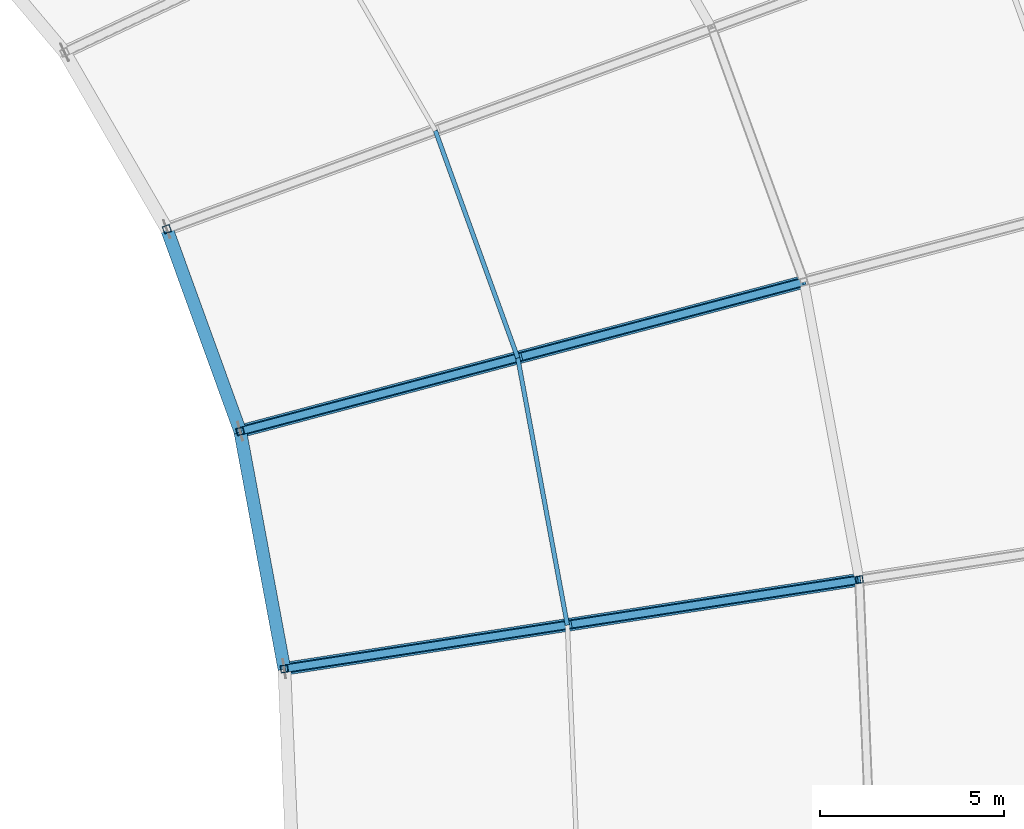
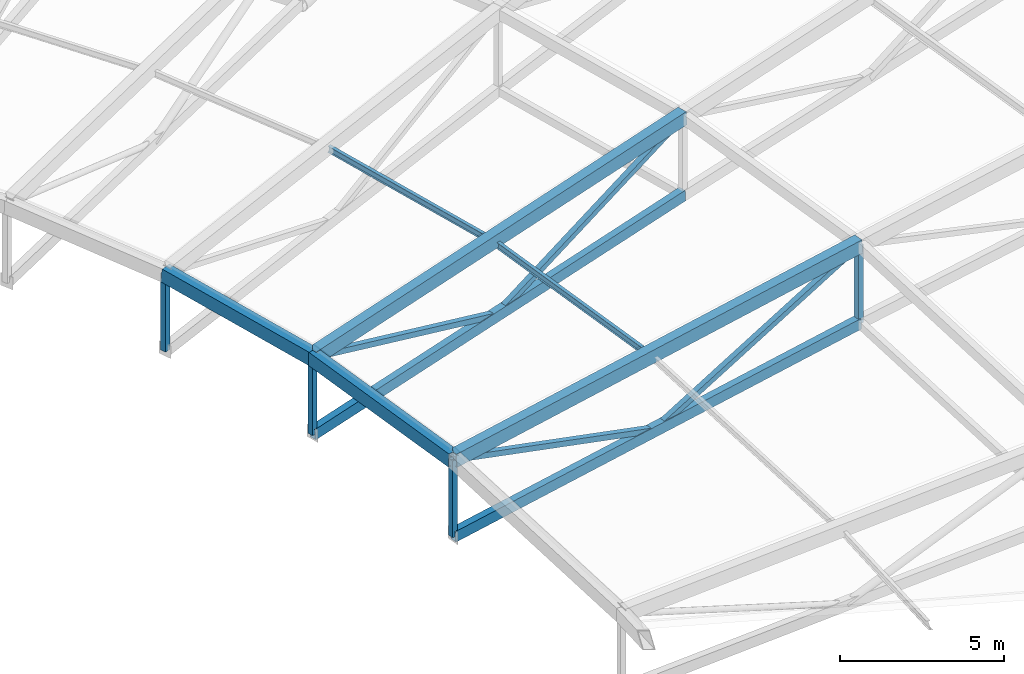
# One storey, part 74 of 143: 10 members, 6 beams.
"""IFC4 building model written with IfcOpenShell, lengths in metres."""

from ifc_helpers import new_model, si_unit, direction, frame, origin, origin_2d, place, context, subcontext, project, spatial, hollow_rectangle, i_section, extrude, material, material_profile, profile_set, type_object, element, save


model = new_model("IFC4")

# Units and contexts
model_context = context("Model", 3, precision=1e-05, world=origin(), true_north=direction((0.0, 1.0)))
body_context = subcontext(model_context, "Body", "Model", "MODEL_VIEW")
ifc_project = project(units=[si_unit("LENGTHUNIT", "METRE"), si_unit("AREAUNIT", "SQUARE_METRE"), si_unit("VOLUMEUNIT", "CUBIC_METRE"), si_unit("PLANEANGLEUNIT", "RADIAN"), si_unit("MASSUNIT", "GRAM", prefix="KILO")], contexts=[model_context])

# Site, building, storey
site_placement = place(None, origin())
site = spatial("IfcSite", under=ifc_project, at=site_placement, CompositionType="ELEMENT")
building_placement = place(site_placement, origin())
building = spatial("IfcBuilding", under=site, at=building_placement, Name="Mphavela Belvedere Stadium", CompositionType="ELEMENT")
storey_placement = place(building_placement, frame((0.0, 0.0, 28.800048828125)))
storey = spatial("IfcBuildingStorey", under=building, at=storey_placement, Name="RF", CompositionType="ELEMENT", Elevation=28.800048828125)

# Beams
ifc_material_1 = material(Name="Steel S355", Category="steel")
ifc_material_profile_1 = material_profile(ifc_material_1, hollow_rectangle(XDim=0.35009765625, YDim=0.5, WallThickness=0.02001953125, at=origin_2d()), Name="RHS 500x350x20")
ifc_profile_set_1 = profile_set([ifc_material_profile_1], Name="Steel S355")
beam_type_1 = type_object("IfcBeamType", Name="BM-RING-IN", PredefinedType="BEAM", material=ifc_profile_set_1)
beam_1_placement = place(storey_placement, frame((176.6787109375, 96.56689453125, 1.59765625), z_axis=(-0.18244542016, 0.982233072501, 0.043952928765), x_axis=(-0.98318321775, -0.18262190541, 0.0)))
element("IfcBeam", 1, at=beam_1_placement, inside=storey, type_object=beam_type_1, Name="Inner tension ring beam RB-IN-02", PredefinedType="BEAM", context=body_context, shape_type="SweptSolid", body=[
    extrude(hollow_rectangle(XDim=0.35009765625, YDim=0.5, WallThickness=0.02001953125, at=origin_2d()), origin(), (0.0, 0.0, 1.0), 6.587646484375),
])
beam_2_placement = place(storey_placement, frame((175.476806640625, 103.03759765625, 1.88720703125), z_axis=(-0.340014743725, 0.937149276545, 0.078365856857), x_axis=(-0.940040212853, -0.341063627817, 0.0)))
element("IfcBeam", 2, at=beam_2_placement, inside=storey, type_object=beam_type_1, Name="Inner tension ring beam RB-IN-03", PredefinedType="BEAM", context=body_context, shape_type="SweptSolid", body=[
    extrude(hollow_rectangle(XDim=0.35009765625, YDim=0.5, WallThickness=0.02001953125, at=origin_2d()), origin(), (0.0, 0.0, 1.0), 5.875732421875),
])
ifc_material_2 = material(Name="Steel S355", Category="steel")
ifc_material_profile_2 = material_profile(ifc_material_2, hollow_rectangle(XDim=0.25, YDim=0.39990234375, WallThickness=0.01611328125, at=origin_2d()), Name="RHS 400x250x16")
ifc_profile_set_2 = profile_set([ifc_material_profile_2], Name="Steel S355")
beam_type_2 = type_object("IfcBeamType", Name="BM-TRUSS-BC2", PredefinedType="BEAM", material=ifc_profile_set_2)
beam_3_placement = place(storey_placement, frame((192.33935546875, 98.995849609375, -0.285888671875), z_axis=(-0.986353005441, -0.152982665344, -0.060860929684), x_axis=(0.153266782809, -0.988184847732, 0.0)))
element("IfcBeam", 3, at=beam_3_placement, inside=storey, type_object=beam_type_2, Name="Radial roof truss RT-02 bottom chord 3", PredefinedType="BEAM", context=body_context, shape_type="SweptSolid", body=[
    extrude(hollow_rectangle(XDim=0.25, YDim=0.39990234375, WallThickness=0.01611328125, at=origin_2d()), origin(), (0.0, 0.0, 1.0), 15.87744140625),
])
beam_4_placement = place(storey_placement, frame((190.832275390625, 107.10986328125, 0.0771484375), z_axis=(-0.964523241908, -0.255791269318, -0.065312650841), x_axis=(0.256338590818, -0.966587050843, 0.0)))
element("IfcBeam", 4, at=beam_4_placement, inside=storey, type_object=beam_type_2, Name="Radial roof truss RT-03 bottom chord 3", PredefinedType="BEAM", context=body_context, shape_type="SweptSolid", body=[
    extrude(hollow_rectangle(XDim=0.25, YDim=0.39990234375, WallThickness=0.01611328125, at=origin_2d()), origin(), (0.0, 0.0, 1.0), 15.920166015625),
])
ifc_material_3 = material(Name="Steel S355", Category="steel")
ifc_material_profile_3 = material_profile(ifc_material_3, hollow_rectangle(XDim=0.35009765625, YDim=0.5, WallThickness=0.02001953125, at=origin_2d()), Name="RHS 500x350x20")
ifc_profile_set_3 = profile_set([ifc_material_profile_3], Name="Steel S355")
beam_type_3 = type_object("IfcBeamType", Name="BM-TRUSS-TC2", PredefinedType="BEAM", material=ifc_profile_set_3)
beam_5_placement = place(storey_placement, frame((192.33935546875, 98.995849609375, 2.614013671875), z_axis=(-0.986158933324, -0.152952564893, -0.064000555599), x_axis=(0.153266782809, -0.988184847732, 0.0)))
element("IfcBeam", 5, at=beam_5_placement, inside=storey, type_object=beam_type_3, Name="Radial roof truss RT-02 top chord 3", PredefinedType="BEAM", context=body_context, shape_type="SweptSolid", body=[
    extrude(hollow_rectangle(XDim=0.35009765625, YDim=0.5, WallThickness=0.02001953125, at=origin_2d()), origin(), (0.0, 0.0, 1.0), 15.88037109375),
])
beam_6_placement = place(storey_placement, frame((190.832275390625, 107.10986328125, 2.97705078125), z_axis=(-0.964320499394, -0.255737502065, -0.06844197897), x_axis=(0.256338590818, -0.966587050843, 0.0)))
element("IfcBeam", 6, at=beam_6_placement, inside=storey, type_object=beam_type_3, Name="Radial roof truss RT-03 top chord 3", PredefinedType="BEAM", context=body_context, shape_type="SweptSolid", body=[
    extrude(hollow_rectangle(XDim=0.35009765625, YDim=0.5, WallThickness=0.02001953125, at=origin_2d()), origin(), (0.0, 0.0, 1.0), 15.923583984375),
])

# Members
ifc_material_4 = material(Name="Steel S355", Category="steel")
ifc_material_profile_4 = material_profile(ifc_material_4, hollow_rectangle(XDim=0.199951171875, YDim=0.199951171875, WallThickness=0.010009765625, at=origin_2d()), Name="SHS 200x200x10")
ifc_profile_set_4 = profile_set([ifc_material_profile_4], Name="Steel S355")
member_type_1 = type_object("IfcMemberType", Name="MEM-POST-SHS200", PredefinedType="POST", material=ifc_profile_set_4)
member_1_placement = place(storey_placement, frame((192.33935546875, 98.995849609375, -0.285888671875), z_axis=(0.0, 0.0, 1.0), x_axis=(0.98817491911, 0.153330783737, 0.0)))
element("IfcMember", 7, at=member_1_placement, inside=storey, type_object=member_type_1, Name="Radial roof truss RT-02 post P3", PredefinedType="POST", context=body_context, shape_type="SweptSolid", body=[
    extrude(hollow_rectangle(XDim=0.199951171875, YDim=0.199951171875, WallThickness=0.010009765625, at=origin_2d()), origin(), (0.0, 0.0, 1.0), 2.89990234375),
])
member_2_placement = place(storey_placement, frame((176.6787109375, 96.56689453125, -1.252197265625), z_axis=(0.0, 0.0, 1.0), x_axis=(0.98817491911, 0.153330783737, 0.0)))
element("IfcMember", 8, at=member_2_placement, inside=storey, type_object=member_type_1, Name="Radial roof truss RT-02 post P4", PredefinedType="POST", context=body_context, shape_type="SweptSolid", body=[
    extrude(hollow_rectangle(XDim=0.199951171875, YDim=0.199951171875, WallThickness=0.010009765625, at=origin_2d()), origin(), (0.0, 0.0, 1.0), 2.849853515625),
])
member_3_placement = place(storey_placement, frame((192.33935546875, 98.995849609375, 2.614013671875), z_axis=(-0.908822658651, -0.140943594429, -0.392652872538), x_axis=(0.153251739391, -0.988187180839, 0.0)))
element("IfcMember", 9, at=member_3_placement, inside=storey, type_object=member_type_1, Name="Radial roof truss RT-02 web diagonal D5", PredefinedType="POST", context=body_context, shape_type="SweptSolid", body=[
    extrude(hollow_rectangle(XDim=0.199951171875, YDim=0.199951171875, WallThickness=0.010009765625, at=origin_2d()), origin(), (0.0, 0.0, 1.0), 8.615966796875),
])
member_4_placement = place(storey_placement, frame((184.509033203125, 97.781494140625, -0.76904296875), z_axis=(-0.946851476158, -0.146870766498, 0.286183961895), x_axis=(0.153281826121, -0.988182514408, 0.0)))
element("IfcMember", 10, at=member_4_placement, inside=storey, type_object=member_type_1, Name="Radial roof truss RT-02 web diagonal D6", PredefinedType="POST", context=body_context, shape_type="SweptSolid", body=[
    extrude(hollow_rectangle(XDim=0.199951171875, YDim=0.199951171875, WallThickness=0.010009765625, at=origin_2d()), origin(), (0.0, 0.0, 1.0), 8.269775390625),
])
member_5_placement = place(storey_placement, frame((175.476806640625, 103.03759765625, -0.962646484375), z_axis=(0.0, 0.0, 1.0), x_axis=(0.966600102017, 0.256289373133, 0.0)))
element("IfcMember", 11, at=member_5_placement, inside=storey, type_object=member_type_1, Name="Radial roof truss RT-03 post P4", PredefinedType="POST", context=body_context, shape_type="SweptSolid", body=[
    extrude(hollow_rectangle(XDim=0.199951171875, YDim=0.199951171875, WallThickness=0.010009765625, at=origin_2d()), origin(), (0.0, 0.0, 1.0), 2.849853515625),
])
member_6_placement = place(storey_placement, frame((190.832275390625, 107.10986328125, 2.97705078125), z_axis=(-0.887796291564, -0.235443305509, -0.395454415296), x_axis=(0.256338590818, -0.966587050843, 0.0)))
element("IfcMember", 12, at=member_6_placement, inside=storey, type_object=member_type_1, Name="Radial roof truss RT-03 web diagonal D5", PredefinedType="POST", context=body_context, shape_type="SweptSolid", body=[
    extrude(hollow_rectangle(XDim=0.199951171875, YDim=0.199951171875, WallThickness=0.010009765625, at=origin_2d()), origin(), (0.0, 0.0, 1.0), 8.648193359375),
])
member_7_placement = place(storey_placement, frame((183.154541015625, 105.07373046875, -0.44287109375), z_axis=(-0.927504083099, -0.245973799703, 0.281483686374), x_axis=(0.256338590818, -0.966587050843, 0.0)))
element("IfcMember", 13, at=member_7_placement, inside=storey, type_object=member_type_1, Name="Radial roof truss RT-03 web diagonal D6", PredefinedType="POST", context=body_context, shape_type="SweptSolid", body=[
    extrude(hollow_rectangle(XDim=0.199951171875, YDim=0.199951171875, WallThickness=0.010009765625, at=origin_2d()), origin(), (0.0, 0.0, 1.0), 8.27783203125),
])
member_8_placement = place(storey_placement, frame((173.47900390625, 108.5439453125, -0.502197265625), z_axis=(0.0, 0.0, 1.0), x_axis=(0.938372433776, 0.34562577382, 0.0)))
element("IfcMember", 14, at=member_8_placement, inside=storey, type_object=member_type_1, Name="Radial roof truss RT-04 post P4", PredefinedType="POST", context=body_context, shape_type="SweptSolid", body=[
    extrude(hollow_rectangle(XDim=0.199951171875, YDim=0.199951171875, WallThickness=0.010009765625, at=origin_2d()), origin(), (0.0, 0.0, 1.0), 2.849853515625),
])
ifc_material_5 = material(Name="Steel S355", Category="steel")
ifc_material_profile_5 = material_profile(ifc_material_5, i_section(OverallWidth=0.1201171875, OverallDepth=0.239990234375, WebThickness=0.006103515625, FlangeThickness=0.009765625, at=origin_2d()), Name="IPE 240")
ifc_profile_set_5 = profile_set([ifc_material_profile_5], Name="Steel S355")
member_type_2 = type_object("IfcMemberType", Name="MEM-PURLIN-IPE240", PredefinedType="PURLIN", material=ifc_profile_set_5)
member_9_placement = place(storey_placement, frame((184.388671875, 97.7626953125, 1.93798828125), z_axis=(-0.182459485782, 0.982230898545, 0.04394312223), x_axis=(-0.983180617141, -0.182635905773, 0.0)))
element("IfcMember", 15, at=member_9_placement, inside=storey, type_object=member_type_2, Name="Saddle canopy steel purlin 02-1", PredefinedType="PURLIN", context=body_context, shape_type="SweptSolid", body=[
    extrude(i_section(OverallWidth=0.1201171875, OverallDepth=0.239990234375, WebThickness=0.006103515625, FlangeThickness=0.009765625, at=origin_2d()), origin(), (0.0, 0.0, 1.0), 7.411376953125),
])
member_10_placement = place(storey_placement, frame((183.036376953125, 105.04248046875, 2.263671875), z_axis=(-0.339988857833, 0.937157771841, 0.078376573202), x_axis=(-0.940049528738, -0.341037950263, 0.0)))
element("IfcMember", 16, at=member_10_placement, inside=storey, type_object=member_type_2, Name="Saddle canopy steel purlin 03-1", PredefinedType="PURLIN", context=body_context, shape_type="SweptSolid", body=[
    extrude(i_section(OverallWidth=0.1201171875, OverallDepth=0.239990234375, WebThickness=0.006103515625, FlangeThickness=0.009765625, at=origin_2d()), origin(), (0.0, 0.0, 1.0), 6.60986328125),
])

save(model, "model.ifc")
